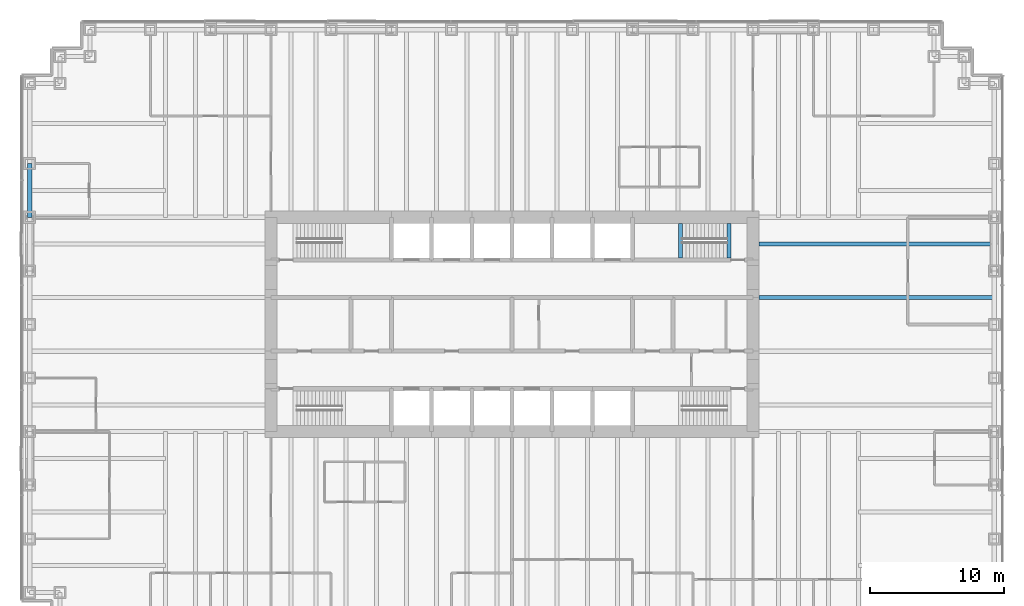
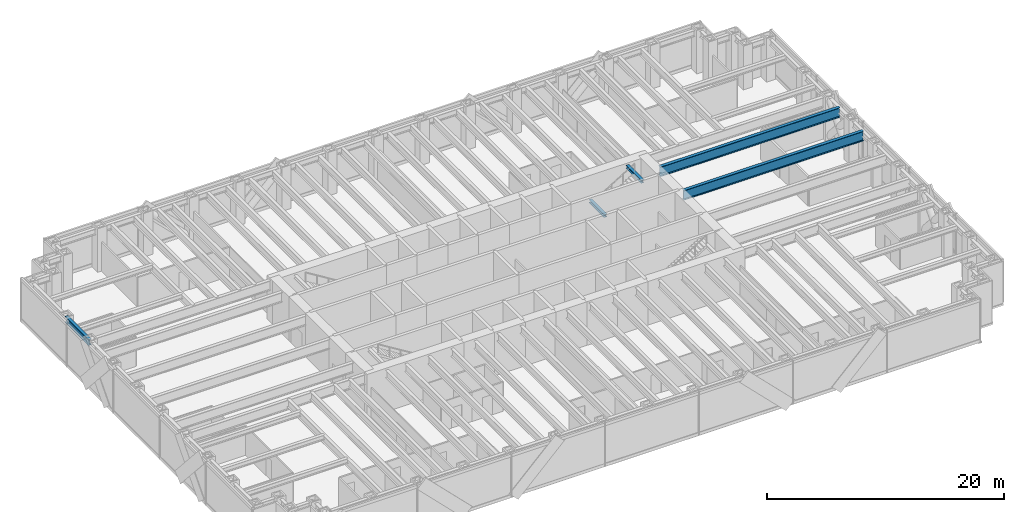
# One storey, part 4 of 13: 5 beams.
"""IFC4 building model written with IfcOpenShell, lengths in metres."""

from ifc_helpers import new_model, si_unit, direction, frame, origin, origin_2d, place, context, subcontext, project, spatial, i_section, extrude, material, material_profile, profile_set, type_object, element, save


model = new_model("IFC4")

# Units and contexts
model_context = context("Model", 3, precision=1e-05, world=origin(), true_north=direction((0.0, 1.0)))
body_context = subcontext(model_context, "Body", "Model", "MODEL_VIEW")
ifc_project = project(units=[si_unit("LENGTHUNIT", "METRE"), si_unit("AREAUNIT", "SQUARE_METRE"), si_unit("VOLUMEUNIT", "CUBIC_METRE"), si_unit("PLANEANGLEUNIT", "RADIAN"), si_unit("MASSUNIT", "GRAM", prefix="KILO")], contexts=[model_context])

# Site, building, storey
site_placement = place(None, origin())
site = spatial("IfcSite", under=ifc_project, at=site_placement, CompositionType="ELEMENT")
building_placement = place(site_placement, origin())
building = spatial("IfcBuilding", under=site, at=building_placement, Name="Rheinbord Bourse Tower", CompositionType="ELEMENT")
storey_placement = place(building_placement, frame((0.0, 0.0, 50.0)))
storey = spatial("IfcBuildingStorey", under=building, at=storey_placement, Name="L10", CompositionType="ELEMENT", Elevation=50.0)

# Beams
ifc_material_1 = material(Name="Steel S460", Category="steel")
ifc_material_profile_1 = material_profile(ifc_material_1, i_section(OverallWidth=0.302001953125, OverallDepth=1.008056640625, WebThickness=0.02099609375, FlangeThickness=0.0400390625, at=origin_2d()), Name="HEM 1000")
ifc_profile_set_1 = profile_set([ifc_material_profile_1], Name="Steel S460")
beam_type_1 = type_object("IfcBeamType", Name="END BEAM HEM 1000", PredefinedType="BEAM", material=ifc_profile_set_1)
for number, where, z_axis, x_axis, name in (
    (1, (54.449951171875, 26.0, 3.81591796875), (1.0, 0.0, 0.0), (0.0, 1.0, 0.0), "End beam east 26 L11"),
    (2, (54.449951171875, 30.0, 3.81591796875), (1.0, 0.0, 0.0), (0.0, 1.0, 0.0), "End beam east 30 L11"),
):
    element("IfcBeam", number, at=place(storey_placement, frame(where, z_axis=z_axis, x_axis=x_axis)), inside=storey, type_object=beam_type_1, Name=name, PredefinedType="BEAM", context=body_context, shape_type="SweptSolid", body=[
        extrude(i_section(OverallWidth=0.302001953125, OverallDepth=1.008056640625, WebThickness=0.02099609375, FlangeThickness=0.0400390625, at=origin_2d()), origin(), (0.0, 0.0, 1.0), 17.550048828125),
    ])
ifc_material_2 = material(Name="Steel S460", Category="steel")
ifc_material_profile_2 = material_profile(ifc_material_2, i_section(OverallWidth=0.300048828125, OverallDepth=0.300048828125, WebThickness=0.010986328125, FlangeThickness=0.01904296875, at=origin_2d()), Name="HEB 300")
ifc_profile_set_2 = profile_set([ifc_material_profile_2], Name="Steel S460")
beam_type_2 = type_object("IfcBeamType", Name="LANDING TRIMMER HEB 300", PredefinedType="BEAM", material=ifc_profile_set_2)
for number, where, z_axis, x_axis, name in (
    (3, (48.590087890625, 28.949951171875, 1.89990234375), (0.0, 1.0, 0.0), (-1.0, 0.0, 0.0), "Landing trimmer ST4 L10"),
    (4, (52.199951171875, 28.949951171875, 4.169921875), (0.0, 1.0, 0.0), (-1.0, 0.0, 0.0), "Well trimmer ST4 under L11"),
):
    element("IfcBeam", number, at=place(storey_placement, frame(where, z_axis=z_axis, x_axis=x_axis)), inside=storey, type_object=beam_type_2, Name=name, PredefinedType="BEAM", context=body_context, shape_type="SweptSolid", body=[
        extrude(i_section(OverallWidth=0.300048828125, OverallDepth=0.300048828125, WebThickness=0.010986328125, FlangeThickness=0.01904296875, at=origin_2d()), origin(), (0.0, 0.0, 1.0), 2.60009765625),
    ])
ifc_material_3 = material(Name="Steel S460", Category="steel")
ifc_material_profile_3 = material_profile(ifc_material_3, i_section(OverallWidth=0.304931640625, OverallDepth=0.6201171875, WebThickness=0.02099609375, FlangeThickness=0.0400390625, at=origin_2d()), Name="HEM 600")
ifc_profile_set_3 = profile_set([ifc_material_profile_3], Name="Steel S460")
beam_type_3 = type_object("IfcBeamType", Name="SPANDREL HEM 600", PredefinedType="SPANDREL", material=ifc_profile_set_3)
beam_placement = place(storey_placement, frame((0.0, 36.0, 4.010009765625), z_axis=(0.0, -1.0, 0.0), x_axis=(1.0, 0.0, 0.0)))
element("IfcBeam", 5, at=beam_placement, inside=storey, type_object=beam_type_3, Name="Spandrel W-36-W-32 under L11", PredefinedType="SPANDREL", context=body_context, shape_type="SweptSolid", body=[
    extrude(i_section(OverallWidth=0.304931640625, OverallDepth=0.6201171875, WebThickness=0.02099609375, FlangeThickness=0.0400390625, at=origin_2d()), origin(), (0.0, 0.0, 1.0), 4.0),
])

save(model, "model.ifc")
